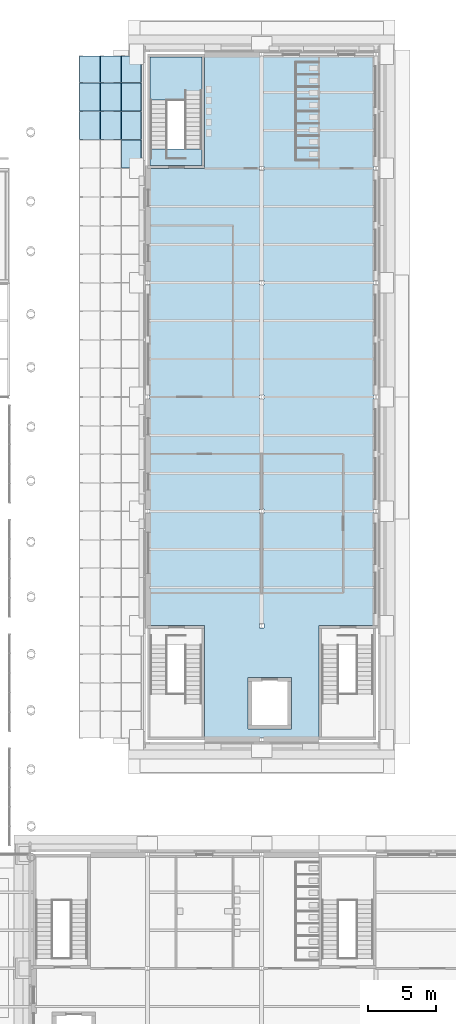
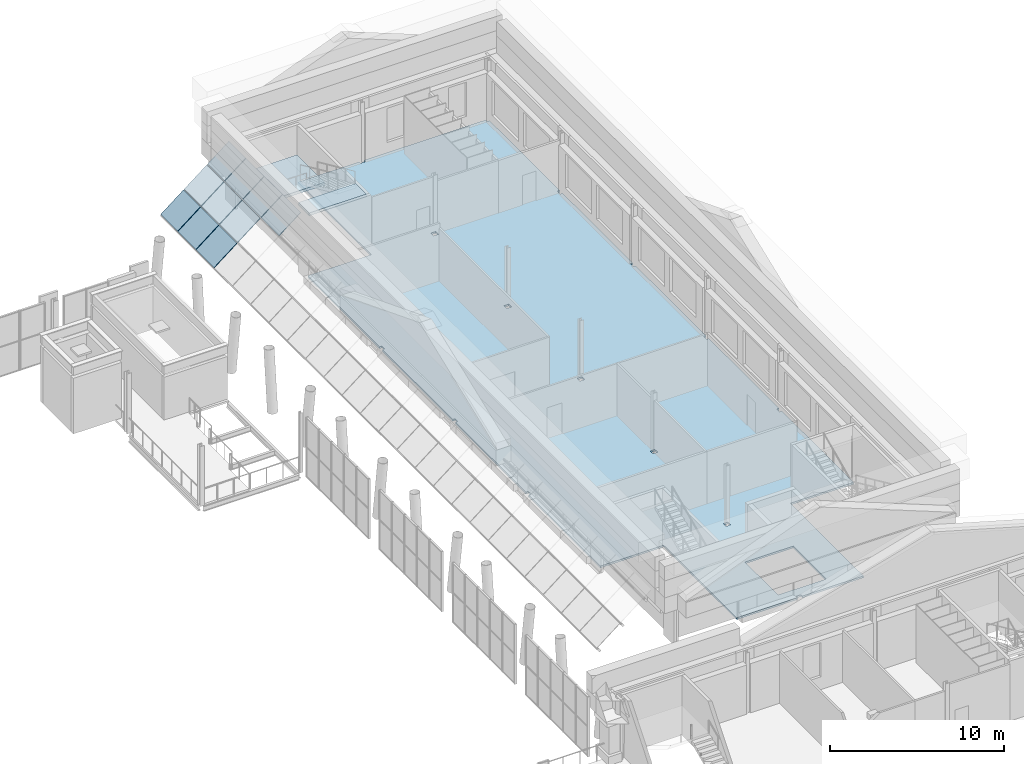
# One storey, part 39 of 76: 10 plates, 3 slabs, 1 element without a shape of its own.
"""IFC4 building model written with IfcOpenShell, lengths in metres."""

from ifc_helpers import new_model, si_unit, direction, frame, origin, place, context, subcontext, project, spatial, polyline, outline, extrude, material, layer, layer_set, type_object, element, aggregate, save


model = new_model("IFC4")

# Units and contexts
model_context = context("Model", 3, precision=1e-05, world=origin(), true_north=direction((0.0, 1.0)))
body_context = subcontext(model_context, "Body", "Model", "MODEL_VIEW")
ifc_project = project(units=[si_unit("LENGTHUNIT", "METRE"), si_unit("AREAUNIT", "SQUARE_METRE"), si_unit("VOLUMEUNIT", "CUBIC_METRE"), si_unit("PLANEANGLEUNIT", "RADIAN"), si_unit("MASSUNIT", "GRAM", prefix="KILO")], contexts=[model_context])

# Site, building, storey
site_placement = place(None, origin())
site = spatial("IfcSite", under=ifc_project, at=site_placement, CompositionType="ELEMENT")
building_placement = place(site_placement, origin())
building = spatial("IfcBuilding", under=site, at=building_placement, Name="Sava Quay Ferry Terminal", CompositionType="ELEMENT")
storey_placement = place(building_placement, frame((0.0, 0.0, 10.800048828125)))
storey = spatial("IfcBuildingStorey", under=building, at=storey_placement, Name="L02", CompositionType="ELEMENT", Elevation=10.800048828125)

# Slab
ifc_material_1 = material(Name="Concrete C30/37", Category="concrete")
ifc_layer_1 = layer(ifc_material_1, 0.1298828125)
ifc_layer_set_1 = layer_set([ifc_layer_1], Name="Concrete C30/37")
slab_type_1 = type_object("IfcSlabType", Name="Composite floor slab 130", PredefinedType="FLOOR", material=ifc_layer_set_1)
slab_1_placement = place(storey_placement, frame((0.0, 0.0, -0.130126953125)))
element("IfcSlab", 1, at=slab_1_placement, inside=storey, type_object=slab_type_1, Name="O floor slab L02", PredefinedType="FLOOR", context=body_context, shape_type="SweptSolid", body=[
    extrude(outline(polyline([(105.0, 67.199951171875), (105.0, 58.800048828125), (100.9599609375, 58.800048828125), (100.9599609375, 58.9599609375), (100.639892578125, 58.9599609375), (100.639892578125, 58.800048828125), (96.60009765625, 58.800048828125), (96.60009765625, 67.199951171875), (92.39990234375, 67.199951171875), (92.39990234375, 75.43994140625), (92.56005859375, 75.43994140625), (92.56005859375, 75.760009765625), (92.39990234375, 75.760009765625), (92.39990234375, 83.840087890625), (92.56005859375, 83.840087890625), (92.56005859375, 84.159912109375), (92.39990234375, 84.159912109375), (92.39990234375, 92.239990234375), (92.56005859375, 92.239990234375), (92.56005859375, 92.56005859375), (92.39990234375, 92.56005859375), (92.39990234375, 100.800048828125), (96.60009765625, 100.800048828125), (96.60009765625, 109.199951171875), (100.639892578125, 109.199951171875), (100.639892578125, 109.0400390625), (100.9599609375, 109.0400390625), (100.9599609375, 109.199951171875), (109.0400390625, 109.199951171875), (109.0400390625, 109.0400390625), (109.199951171875, 109.0400390625), (109.199951171875, 100.9599609375), (109.0400390625, 100.9599609375), (109.0400390625, 100.639892578125), (109.199951171875, 100.639892578125), (109.199951171875, 92.56005859375), (109.0400390625, 92.56005859375), (109.0400390625, 92.239990234375), (109.199951171875, 92.239990234375), (109.199951171875, 84.159912109375), (109.0400390625, 84.159912109375), (109.0400390625, 83.840087890625), (109.199951171875, 83.840087890625), (109.199951171875, 75.760009765625), (109.0400390625, 75.760009765625), (109.0400390625, 75.43994140625), (109.199951171875, 75.43994140625), (109.199951171875, 67.199951171875), (105.0, 67.199951171875)]), holes=[polyline([(100.639892578125, 67.0400390625), (100.9599609375, 67.0400390625), (100.9599609375, 67.360107421875), (100.639892578125, 67.360107421875), (100.639892578125, 67.0400390625)]), polyline([(100.639892578125, 75.43994140625), (100.9599609375, 75.43994140625), (100.9599609375, 75.760009765625), (100.639892578125, 75.760009765625), (100.639892578125, 75.43994140625)]), polyline([(100.639892578125, 83.840087890625), (100.9599609375, 83.840087890625), (100.9599609375, 84.159912109375), (100.639892578125, 84.159912109375), (100.639892578125, 83.840087890625)]), polyline([(100.639892578125, 92.239990234375), (100.9599609375, 92.239990234375), (100.9599609375, 92.56005859375), (100.639892578125, 92.56005859375), (100.639892578125, 92.239990234375)]), polyline([(100.9599609375, 100.639892578125), (100.9599609375, 100.9599609375), (100.639892578125, 100.9599609375), (100.639892578125, 100.639892578125), (100.9599609375, 100.639892578125)]), polyline([(99.800048828125, 59.60009765625), (103.0, 59.60009765625), (103.0, 63.39990234375), (99.800048828125, 63.39990234375), (99.800048828125, 59.60009765625)])]), origin(), (0.0, 0.0, 1.0), 0.130126953125),
])

# Plates
ifc_material_2 = material(Name="Laminated glass", Category="glass")
ifc_layer_2 = layer(ifc_material_2, 0.0400390625)
ifc_layer_set_2 = layer_set([ifc_layer_2], Name="Laminated glass")
plate_type = type_object("IfcPlateType", Name="Skylight glass 40", PredefinedType="SHEET", material=ifc_layer_set_2)
for number, where, z_axis, x_axis, name in (
    (2, (88.91455078125, 107.1201171875, 2.222412109375), (-0.617810385509, 0.0, 0.786327112312), (-0.786327112312, 0.0, -0.617810385509), "Passage roof glass PS-F-K0.2"),
    (3, (90.464599609375, 107.1201171875, 3.4404296875), (-0.617810385509, 0.0, 0.786327112312), (-0.786327112312, 0.0, -0.617810385509), "Passage roof glass PS-F-K0.3"),
):
    element("IfcPlate", number, at=place(storey_placement, frame(where, z_axis=z_axis, x_axis=x_axis)), inside=storey, type_object=plate_type, Name=name, PredefinedType="SHEET", context=body_context, shape_type="SweptSolid", body=[
        extrude(outline(polyline([(0.0, 0.0), (1.9311997052158885, 0.0), (1.9311997052158885, -1.945556640625), (0.0, -1.945556640625), (0.0, 0.0)])), origin(), (0.0, 0.0, -1.0), 0.0400390625),
    ])
plate_1_placement = place(storey_placement, frame((90.495849609375, 107.1201171875, 3.465087890625), z_axis=(-0.617821551932, 0.0, 0.786318338822), x_axis=(0.0, 1.0, 0.0)))
element("IfcPlate", 4, at=plate_1_placement, inside=storey, type_object=plate_type, Name="Passage roof glass PS-F-K0.4", PredefinedType="SHEET", context=body_context, shape_type="SweptSolid", body=[
    extrude(outline(polyline([(0.0, 0.0), (1.945556640625, 0.0), (1.945556640625, -1.816962503557546), (0.0, -1.816962503557546), (0.0, 0.0)])), origin(), (0.0, 0.0, -1.0), 0.0400390625),
])
for number, where, z_axis, x_axis, name in (
    (5, (87.39599609375, 107.080078125, 1.029296875), (-0.617810385509, 0.0, 0.786327112312), (0.786327112312, 0.0, 0.617810385509), "Passage roof glass PS-F-K1.2"),
    (6, (88.946044921875, 107.080078125, 2.247314453125), (-0.617810385509, 0.0, 0.786327112312), (0.786327112312, 0.0, 0.617810385509), "Passage roof glass PS-F-K1.3"),
):
    element("IfcPlate", number, at=place(storey_placement, frame(where, z_axis=z_axis, x_axis=x_axis)), inside=storey, type_object=plate_type, Name=name, PredefinedType="SHEET", context=body_context, shape_type="SweptSolid", body=[
        extrude(outline(polyline([(0.0, 0.0), (1.9311997052158885, 0.0), (1.9311997052158885, -2.06005859375), (0.0, -2.06005859375), (0.0, 0.0)])), origin(), (0.0, 0.0, -1.0), 0.0400390625),
    ])
plate_2_placement = place(storey_placement, frame((90.495849609375, 105.02001953125, 3.465087890625), z_axis=(-0.617821551932, 0.0, 0.786318338822), x_axis=(0.0, 1.0, 0.0)))
element("IfcPlate", 7, at=plate_2_placement, inside=storey, type_object=plate_type, Name="Passage roof glass PS-F-K1.4", PredefinedType="SHEET", context=body_context, shape_type="SweptSolid", body=[
    extrude(outline(polyline([(0.0, 0.0), (2.06005859375, 0.0), (2.06005859375, -1.8169625035575463), (0.0, -1.8169625035575463), (0.0, 0.0)])), origin(), (0.0, 0.0, -1.0), 0.0400390625),
])
for number, where, z_axis, x_axis, name in (
    (8, (87.39599609375, 104.97998046875, 1.029296875), (-0.617810385509, 0.0, 0.786327112312), (0.786327112312, 0.0, 0.617810385509), "Passage roof glass PS-F-K2.2"),
    (9, (88.946044921875, 104.97998046875, 2.247314453125), (-0.617810385509, 0.0, 0.786327112312), (0.786327112312, 0.0, 0.617810385509), "Passage roof glass PS-F-K2.3"),
):
    element("IfcPlate", number, at=place(storey_placement, frame(where, z_axis=z_axis, x_axis=x_axis)), inside=storey, type_object=plate_type, Name=name, PredefinedType="SHEET", context=body_context, shape_type="SweptSolid", body=[
        extrude(outline(polyline([(0.0, 0.0), (1.9311997052158885, 0.0), (1.9311997052158885, -2.06005859375), (0.0, -2.06005859375), (0.0, 0.0)])), origin(), (0.0, 0.0, -1.0), 0.0400390625),
    ])
plate_3_placement = place(storey_placement, frame((90.495849609375, 102.919921875, 3.465087890625), z_axis=(-0.617821551932, 0.0, 0.786318338822), x_axis=(0.0, 1.0, 0.0)))
element("IfcPlate", 10, at=plate_3_placement, inside=storey, type_object=plate_type, Name="Passage roof glass PS-F-K2.4", PredefinedType="SHEET", context=body_context, shape_type="SweptSolid", body=[
    extrude(outline(polyline([(0.0, 0.0), (2.06005859375, 0.0), (2.06005859375, -1.8169625035575463), (0.0, -1.8169625035575463), (0.0, 0.0)])), origin(), (0.0, 0.0, -1.0), 0.0400390625),
])
plate_4_placement = place(storey_placement, frame((90.495849609375, 100.820068359375, 3.465087890625), z_axis=(-0.617821551932, 0.0, 0.786318338822), x_axis=(0.0, 1.0, 0.0)))
element("IfcPlate", 11, at=plate_4_placement, inside=storey, type_object=plate_type, Name="Passage roof glass PS-F-K3.4", PredefinedType="SHEET", context=body_context, shape_type="SweptSolid", body=[
    extrude(outline(polyline([(0.0, 0.0), (2.059814453125, 0.0), (2.059814453125, -1.816962503557546), (0.0, -1.816962503557546), (0.0, 0.0)])), origin(), (0.0, 0.0, -1.0), 0.0400390625),
])

# Stair, slabs
ifc_material_3 = material(Name="Concrete C30/37", Category="concrete")
stair_type = type_object("IfcStairType", Name="Stair 1200 half landing", PredefinedType="HALF_TURN_STAIR", material=ifc_material_3)
stair_placement = place(storey_placement, origin())
stair = element("IfcStair", 12, at=stair_placement, inside=storey, type_object=stair_type, Name="Stair ST-O3 L02", PredefinedType="HALF_TURN_STAIR")
ifc_material_4 = material(Name="Concrete C30/37", Category="concrete")
ifc_layer_3 = layer(ifc_material_4, 0.199951171875)
ifc_layer_set_3 = layer_set([ifc_layer_3], Name="Concrete C30/37")
slab_type_2 = type_object("IfcSlabType", Name="Stair head floor 200", PredefinedType="FLOOR", material=ifc_layer_set_3)
slab_2_placement = place(storey_placement, frame((0.0, 0.0, 4.0)))
slab_2 = element("IfcSlab", 13, at=slab_2_placement, type_object=slab_type_2, Name="ST-O3 head floor L03", PredefinedType="FLOOR", context=body_context, shape_type="SweptSolid", body=[
    extrude(outline(polyline([(92.60009765625, 101.0), (92.60009765625, 102.22998046875), (96.39990234375, 102.22998046875), (96.39990234375, 101.0), (92.60009765625, 101.0)])), origin(), (0.0, 0.0, 1.0), 0.199951171875),
])
ifc_material_5 = material(Name="Concrete C30/37", Category="concrete")
ifc_layer_4 = layer(ifc_material_5, 0.199951171875)
ifc_layer_set_4 = layer_set([ifc_layer_4], Name="Concrete C30/37")
slab_type_3 = type_object("IfcSlabType", Name="Stair landing 200", PredefinedType="LANDING", material=ifc_layer_set_4)
slab_3_placement = place(storey_placement, frame((0.0, 0.0, 1.89990234375)))
slab_3 = element("IfcSlab", 14, at=slab_3_placement, type_object=slab_type_3, Name="ST-O3 landing 1", PredefinedType="LANDING", context=body_context, shape_type="SweptSolid", body=[
    extrude(outline(polyline([(92.60009765625, 105.820068359375), (92.60009765625, 109.0), (96.39990234375, 109.0), (96.39990234375, 105.820068359375), (92.60009765625, 105.820068359375)])), origin(), (0.0, 0.0, 1.0), 0.199951171875),
])
aggregate(stair, [slab_3, slab_2])

save(model, "model.ifc")
